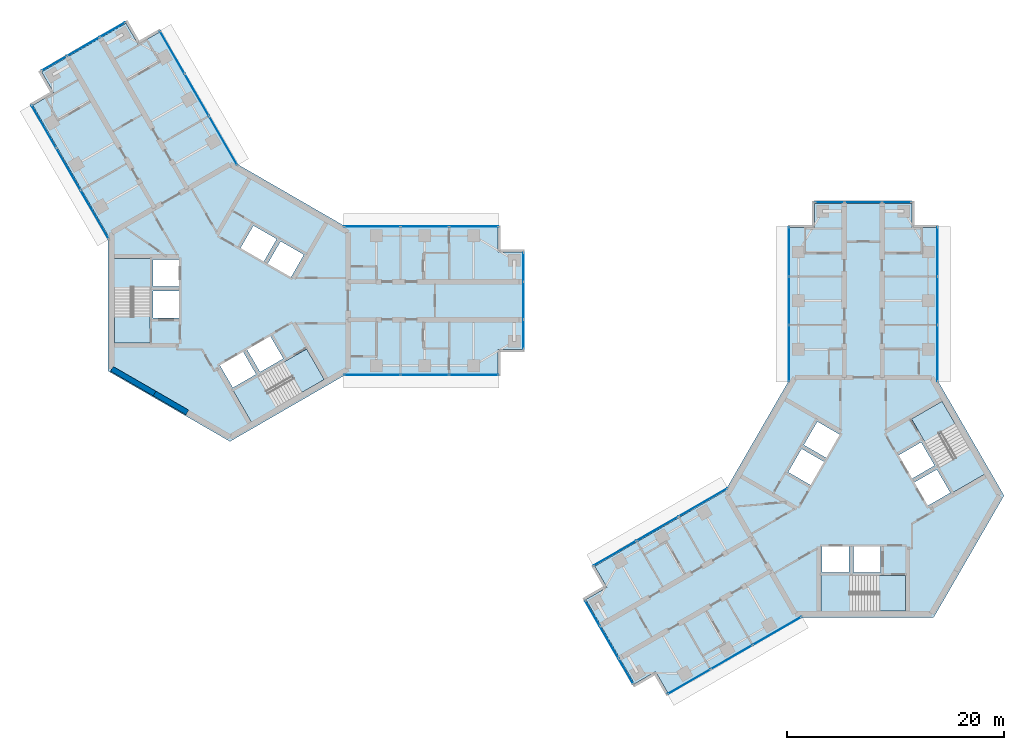
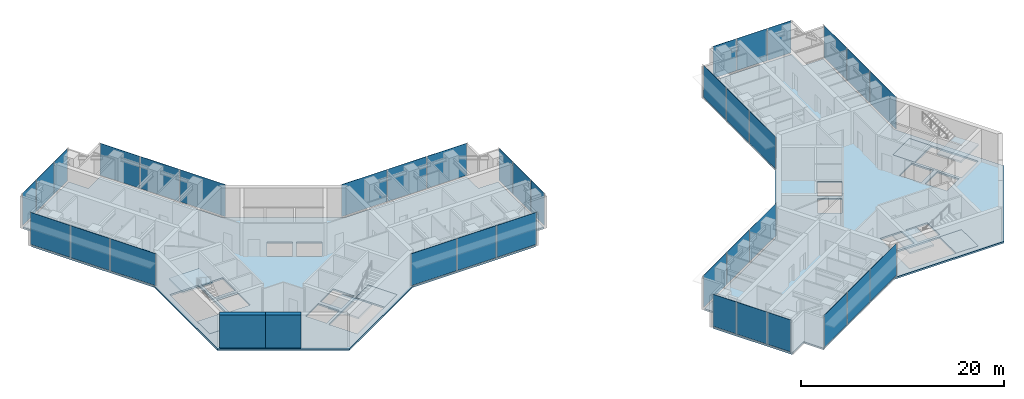
# One storey, part 10 of 17: 36 plates, 10 slabs, 2 walls, 16 elements without a shape of their own.
"""IFC4 building model written with IfcOpenShell, lengths in metres."""

from ifc_helpers import new_model, si_unit, direction, frame, frame_2d, origin, origin_2d, place, context, subcontext, project, spatial, polyline, rectangle, outline, extrude, material, layer, layer_set, type_object, element, aggregate, save


model = new_model("IFC4")

# Units and contexts
model_context = context("Model", 3, precision=1e-05, world=origin(), true_north=direction((0.0, 1.0)))
body_context = subcontext(model_context, "Body", "Model", "MODEL_VIEW")
ifc_project = project(units=[si_unit("LENGTHUNIT", "METRE"), si_unit("AREAUNIT", "SQUARE_METRE"), si_unit("VOLUMEUNIT", "CUBIC_METRE"), si_unit("PLANEANGLEUNIT", "RADIAN"), si_unit("MASSUNIT", "GRAM", prefix="KILO")], contexts=[model_context])

# Site, building, storey
site_placement = place(None, origin())
site = spatial("IfcSite", under=ifc_project, at=site_placement, CompositionType="ELEMENT")
building_placement = place(site_placement, origin())
building = spatial("IfcBuilding", under=site, at=building_placement, Name="Upepo Twin Towers", CompositionType="ELEMENT")
storey_placement = place(building_placement, frame((0.0, 0.0, 206.5)))
storey = spatial("IfcBuildingStorey", under=building, at=storey_placement, Name="L50", CompositionType="ELEMENT", Elevation=206.5)

# Curtain wall, plates
ifc_material_1 = material(Name="Aluminium and fritted glass", Category="aluminium")
curtain_wall_type = type_object("IfcCurtainWallType", Name="Tower curtain wall TW3, fritted glass", PredefinedType="NOTDEFINED", material=ifc_material_1)
curtain_wall_1_placement = place(storey_placement, origin())
curtain_wall_1 = element("IfcCurtainWall", 1, at=curtain_wall_1_placement, inside=storey, type_object=curtain_wall_type, Name="T1 L50 wing A flank L curtain wall", PredefinedType="NOTDEFINED")
ifc_material_2 = material(Name="Ceramic-fritted laminated glass", Category="glass")
ifc_layer_1 = layer(ifc_material_2, 0.031982421875)
ifc_layer_set_1 = layer_set([ifc_layer_1], Name="Fritted glass panel, 55 per cent dot frit, 32 mm double glazed")
plate_type_1 = type_object("IfcPlateType", Name="Fritted glass panel, 55 per cent dot frit, 32 mm double glazed", PredefinedType="CURTAIN_PANEL", material=ifc_layer_set_1)
plate_1_placement = place(storey_placement, frame((13.134765625, 6.85009765625, 0.14990234375), z_axis=(0.0, 0.0, 1.0), x_axis=(1.0, 0.0, 0.0)))
plate_1 = element("IfcPlate", 2, at=plate_1_placement, type_object=plate_type_1, Name="T1 L50 wing A flank L curtain wall panel 1", PredefinedType="CURTAIN_PANEL", context=body_context, shape_type="SweptSolid", body=[
    extrude(rectangle(XDim=5.165283203125, YDim=0.031982421875, at=origin_2d()), origin(), (0.0, 0.0, 1.0), 3.85009765625),
])
plate_2_placement = place(storey_placement, frame((18.0, 6.85009765625, 0.14990234375), z_axis=(0.0, 0.0, 1.0), x_axis=(1.0, 0.0, 0.0)))
plate_2 = element("IfcPlate", 3, at=plate_2_placement, type_object=plate_type_1, Name="T1 L50 wing A flank L curtain wall panel 2", PredefinedType="CURTAIN_PANEL", context=body_context, shape_type="SweptSolid", body=[
    extrude(rectangle(XDim=4.43505859375, YDim=0.031982421875, at=origin_2d()), origin(), (0.0, 0.0, 1.0), 3.85009765625),
])
plate_3_placement = place(storey_placement, frame((22.53369140625, 6.85009765625, 0.14990234375), z_axis=(0.0, 0.0, 1.0), x_axis=(1.0, 0.0, 0.0)))
plate_3 = element("IfcPlate", 4, at=plate_3_placement, type_object=plate_type_1, Name="T1 L50 wing A flank L curtain wall panel 3", PredefinedType="CURTAIN_PANEL", context=body_context, shape_type="SweptSolid", body=[
    extrude(rectangle(XDim=4.50244140625, YDim=0.031982421875, at=origin_2d()), origin(), (0.0, 0.0, 1.0), 3.85009765625),
])
aggregate(curtain_wall_1, [plate_1, plate_2, plate_3])

curtain_wall_2_placement = place(storey_placement, origin())
curtain_wall_2 = element("IfcCurtainWall", 5, at=curtain_wall_2_placement, inside=storey, type_object=curtain_wall_type, Name="T1 L50 wing A flank R curtain wall", PredefinedType="NOTDEFINED")
plate_4_placement = place(storey_placement, frame((22.53369140625, -6.85009765625, 0.14990234375), z_axis=(0.0, 0.0, 1.0), x_axis=(-1.0, 0.0, 0.0)))
plate_4 = element("IfcPlate", 6, at=plate_4_placement, type_object=plate_type_1, Name="T1 L50 wing A flank R curtain wall panel 1", PredefinedType="CURTAIN_PANEL", context=body_context, shape_type="SweptSolid", body=[
    extrude(rectangle(XDim=4.50244140625, YDim=0.031982421875, at=origin_2d()), origin(), (0.0, 0.0, 1.0), 3.85009765625),
])
plate_5_placement = place(storey_placement, frame((18.0, -6.85009765625, 0.14990234375), z_axis=(0.0, 0.0, 1.0), x_axis=(-1.0, 0.0, 0.0)))
plate_5 = element("IfcPlate", 7, at=plate_5_placement, type_object=plate_type_1, Name="T1 L50 wing A flank R curtain wall panel 2", PredefinedType="CURTAIN_PANEL", context=body_context, shape_type="SweptSolid", body=[
    extrude(rectangle(XDim=4.43505859375, YDim=0.031982421875, at=origin_2d()), origin(), (0.0, 0.0, 1.0), 3.85009765625),
])
plate_6_placement = place(storey_placement, frame((13.134765625, -6.85009765625, 0.14990234375), z_axis=(0.0, 0.0, 1.0), x_axis=(-1.0, 0.0, 0.0)))
plate_6 = element("IfcPlate", 8, at=plate_6_placement, type_object=plate_type_1, Name="T1 L50 wing A flank R curtain wall panel 3", PredefinedType="CURTAIN_PANEL", context=body_context, shape_type="SweptSolid", body=[
    extrude(rectangle(XDim=5.165283203125, YDim=0.031982421875, at=origin_2d()), origin(), (0.0, 0.0, 1.0), 3.85009765625),
])
aggregate(curtain_wall_2, [plate_4, plate_5, plate_6])

# Curtain wall, plate
curtain_wall_3_placement = place(storey_placement, origin())
curtain_wall_3 = element("IfcCurtainWall", 9, at=curtain_wall_3_placement, inside=storey, type_object=curtain_wall_type, Name="T1 L50 wing A nose curtain wall", PredefinedType="NOTDEFINED")
plate_7_placement = place(storey_placement, frame((27.10009765625, 0.0, 0.14990234375), z_axis=(0.0, 0.0, 1.0), x_axis=(0.0, 1.0, 0.0)))
plate_7 = element("IfcPlate", 10, at=plate_7_placement, type_object=plate_type_1, Name="T1 L50 wing A nose curtain wall panel 2", PredefinedType="CURTAIN_PANEL", context=body_context, shape_type="SweptSolid", body=[
    extrude(rectangle(XDim=3.43505859375, YDim=0.031982421875, at=origin_2d()), origin(), (0.0, 0.0, 1.0), 3.85009765625),
])

# Curtain wall, plates
curtain_wall_4_placement = place(storey_placement, origin())
curtain_wall_4 = element("IfcCurtainWall", 11, at=curtain_wall_4_placement, inside=storey, type_object=curtain_wall_type, Name="T1 L50 wing B flank L curtain wall", PredefinedType="NOTDEFINED")
plate_8_placement = place(storey_placement, frame((-12.499755859375, 7.9501953125, 0.14990234375), z_axis=(0.0, 0.0, 1.0), x_axis=(-0.500000026527, 0.866025388469, 0.0)))
plate_8 = element("IfcPlate", 12, at=plate_8_placement, type_object=plate_type_1, Name="T1 L50 wing B flank L curtain wall panel 1", PredefinedType="CURTAIN_PANEL", context=body_context, shape_type="SweptSolid", body=[
    extrude(rectangle(XDim=5.165283203125, YDim=0.031982421875, at=origin_2d()), origin(), (0.0, 0.0, 1.0), 3.85009765625),
])
plate_9_placement = place(storey_placement, frame((-14.932373046875, 12.16357421875, 0.14990234375), z_axis=(0.0, 0.0, 1.0), x_axis=(-0.500000026527, 0.866025388469, 0.0)))
plate_9 = element("IfcPlate", 13, at=plate_9_placement, type_object=plate_type_1, Name="T1 L50 wing B flank L curtain wall panel 2", PredefinedType="CURTAIN_PANEL", context=body_context, shape_type="SweptSolid", body=[
    extrude(rectangle(XDim=4.43505859375, YDim=0.031982421875, at=origin_2d()), origin(), (0.0, 0.0, 1.0), 3.85009765625),
])
plate_10_placement = place(storey_placement, frame((-17.19921875, 16.08984375, 0.14990234375), z_axis=(0.0, 0.0, 1.0), x_axis=(-0.500000026527, 0.866025388469, 0.0)))
plate_10 = element("IfcPlate", 14, at=plate_10_placement, type_object=plate_type_1, Name="T1 L50 wing B flank L curtain wall panel 3", PredefinedType="CURTAIN_PANEL", context=body_context, shape_type="SweptSolid", body=[
    extrude(rectangle(XDim=4.50244140625, YDim=0.031982421875, at=origin_2d()), origin(), (0.0, 0.0, 1.0), 3.85009765625),
])
aggregate(curtain_wall_4, [plate_8, plate_9, plate_10])

curtain_wall_5_placement = place(storey_placement, origin())
curtain_wall_5 = element("IfcCurtainWall", 15, at=curtain_wall_5_placement, inside=storey, type_object=curtain_wall_type, Name="T1 L50 wing B flank R curtain wall", PredefinedType="NOTDEFINED")
plate_11_placement = place(storey_placement, frame((-5.334716796875, 22.939697265625, 0.14990234375), z_axis=(0.0, 0.0, 1.0), x_axis=(0.500000026527, -0.866025388469, 0.0)))
plate_11 = element("IfcPlate", 16, at=plate_11_placement, type_object=plate_type_1, Name="T1 L50 wing B flank R curtain wall panel 1", PredefinedType="CURTAIN_PANEL", context=body_context, shape_type="SweptSolid", body=[
    extrude(rectangle(XDim=4.50244140625, YDim=0.031982421875, at=origin_2d()), origin(), (0.0, 0.0, 1.0), 3.85009765625),
])
plate_12_placement = place(storey_placement, frame((-3.067626953125, 19.013427734375, 0.14990234375), z_axis=(0.0, 0.0, 1.0), x_axis=(0.500000026527, -0.866025388469, 0.0)))
plate_12 = element("IfcPlate", 17, at=plate_12_placement, type_object=plate_type_1, Name="T1 L50 wing B flank R curtain wall panel 2", PredefinedType="CURTAIN_PANEL", context=body_context, shape_type="SweptSolid", body=[
    extrude(rectangle(XDim=4.43505859375, YDim=0.031982421875, at=origin_2d()), origin(), (0.0, 0.0, 1.0), 3.85009765625),
])
plate_13_placement = place(storey_placement, frame((-0.635009765625, 14.800048828125, 0.14990234375), z_axis=(0.0, 0.0, 1.0), x_axis=(0.500000026527, -0.866025388469, 0.0)))
plate_13 = element("IfcPlate", 18, at=plate_13_placement, type_object=plate_type_1, Name="T1 L50 wing B flank R curtain wall panel 3", PredefinedType="CURTAIN_PANEL", context=body_context, shape_type="SweptSolid", body=[
    extrude(rectangle(XDim=5.165283203125, YDim=0.031982421875, at=origin_2d()), origin(), (0.0, 0.0, 1.0), 3.85009765625),
])
aggregate(curtain_wall_5, [plate_11, plate_12, plate_13])

# Curtain wall, plate
curtain_wall_6_placement = place(storey_placement, origin())
curtain_wall_6 = element("IfcCurtainWall", 19, at=curtain_wall_6_placement, inside=storey, type_object=curtain_wall_type, Name="T1 L50 wing B nose curtain wall", PredefinedType="NOTDEFINED")
plate_14_placement = place(storey_placement, frame((-13.550048828125, 23.46923828125, 0.14990234375), z_axis=(0.0, 0.0, 1.0), x_axis=(-0.866025386174, -0.500000030502, 0.0)))
plate_14 = element("IfcPlate", 20, at=plate_14_placement, type_object=plate_type_1, Name="T1 L50 wing B nose curtain wall panel 2", PredefinedType="CURTAIN_PANEL", context=body_context, shape_type="SweptSolid", body=[
    extrude(rectangle(XDim=3.43505859375, YDim=0.031982421875, at=origin_2d()), origin(), (0.0, 0.0, 1.0), 3.85009765625),
])

# Curtain wall, plates
curtain_wall_7_placement = place(storey_placement, origin())
curtain_wall_7 = element("IfcCurtainWall", 21, at=curtain_wall_7_placement, inside=storey, type_object=curtain_wall_type, Name="T2 L50 wing A flank L curtain wall", PredefinedType="NOTDEFINED")
plate_15_placement = place(storey_placement, frame((51.64990234375, -4.865234375, 0.14990234375), z_axis=(0.0, 0.0, 1.0), x_axis=(0.0, 1.0, 0.0)))
plate_15 = element("IfcPlate", 22, at=plate_15_placement, type_object=plate_type_1, Name="T2 L50 wing A flank L curtain wall panel 1", PredefinedType="CURTAIN_PANEL", context=body_context, shape_type="SweptSolid", body=[
    extrude(rectangle(XDim=5.165283203125, YDim=0.031982421875, at=origin_2d()), origin(), (0.0, 0.0, 1.0), 3.85009765625),
])
plate_16_placement = place(storey_placement, frame((51.64990234375, 0.0, 0.14990234375), z_axis=(0.0, 0.0, 1.0), x_axis=(0.0, 1.0, 0.0)))
plate_16 = element("IfcPlate", 23, at=plate_16_placement, type_object=plate_type_1, Name="T2 L50 wing A flank L curtain wall panel 2", PredefinedType="CURTAIN_PANEL", context=body_context, shape_type="SweptSolid", body=[
    extrude(rectangle(XDim=4.43505859375, YDim=0.031982421875, at=origin_2d()), origin(), (0.0, 0.0, 1.0), 3.85009765625),
])
plate_17_placement = place(storey_placement, frame((51.64990234375, 4.53369140625, 0.14990234375), z_axis=(0.0, 0.0, 1.0), x_axis=(0.0, 1.0, 0.0)))
plate_17 = element("IfcPlate", 24, at=plate_17_placement, type_object=plate_type_1, Name="T2 L50 wing A flank L curtain wall panel 3", PredefinedType="CURTAIN_PANEL", context=body_context, shape_type="SweptSolid", body=[
    extrude(rectangle(XDim=4.50244140625, YDim=0.031982421875, at=origin_2d()), origin(), (0.0, 0.0, 1.0), 3.85009765625),
])
aggregate(curtain_wall_7, [plate_15, plate_16, plate_17])

curtain_wall_8_placement = place(storey_placement, origin())
curtain_wall_8 = element("IfcCurtainWall", 25, at=curtain_wall_8_placement, inside=storey, type_object=curtain_wall_type, Name="T2 L50 wing A flank R curtain wall", PredefinedType="NOTDEFINED")
plate_18_placement = place(storey_placement, frame((65.35009765625, 4.53369140625, 0.14990234375), z_axis=(0.0, 0.0, 1.0), x_axis=(0.0, -1.0, 0.0)))
plate_18 = element("IfcPlate", 26, at=plate_18_placement, type_object=plate_type_1, Name="T2 L50 wing A flank R curtain wall panel 1", PredefinedType="CURTAIN_PANEL", context=body_context, shape_type="SweptSolid", body=[
    extrude(rectangle(XDim=4.50244140625, YDim=0.031982421875, at=origin_2d()), origin(), (0.0, 0.0, 1.0), 3.85009765625),
])
plate_19_placement = place(storey_placement, frame((65.35009765625, 0.0, 0.14990234375), z_axis=(0.0, 0.0, 1.0), x_axis=(0.0, -1.0, 0.0)))
plate_19 = element("IfcPlate", 27, at=plate_19_placement, type_object=plate_type_1, Name="T2 L50 wing A flank R curtain wall panel 2", PredefinedType="CURTAIN_PANEL", context=body_context, shape_type="SweptSolid", body=[
    extrude(rectangle(XDim=4.43505859375, YDim=0.031982421875, at=origin_2d()), origin(), (0.0, 0.0, 1.0), 3.85009765625),
])
plate_20_placement = place(storey_placement, frame((65.35009765625, -4.865234375, 0.14990234375), z_axis=(0.0, 0.0, 1.0), x_axis=(0.0, -1.0, 0.0)))
plate_20 = element("IfcPlate", 28, at=plate_20_placement, type_object=plate_type_1, Name="T2 L50 wing A flank R curtain wall panel 3", PredefinedType="CURTAIN_PANEL", context=body_context, shape_type="SweptSolid", body=[
    extrude(rectangle(XDim=5.165283203125, YDim=0.031982421875, at=origin_2d()), origin(), (0.0, 0.0, 1.0), 3.85009765625),
])
aggregate(curtain_wall_8, [plate_18, plate_19, plate_20])

# Curtain wall, plate
curtain_wall_9_placement = place(storey_placement, origin())
curtain_wall_9 = element("IfcCurtainWall", 29, at=curtain_wall_9_placement, inside=storey, type_object=curtain_wall_type, Name="T2 L50 wing A nose curtain wall", PredefinedType="NOTDEFINED")
plate_21_placement = place(storey_placement, frame((58.5, 9.10009765625, 0.14990234375), z_axis=(0.0, 0.0, 1.0), x_axis=(-1.0, 0.0, 0.0)))
plate_21 = element("IfcPlate", 30, at=plate_21_placement, type_object=plate_type_1, Name="T2 L50 wing A nose curtain wall panel 2", PredefinedType="CURTAIN_PANEL", context=body_context, shape_type="SweptSolid", body=[
    extrude(rectangle(XDim=3.43505859375, YDim=0.031982421875, at=origin_2d()), origin(), (0.0, 0.0, 1.0), 3.85009765625),
])

# Curtain wall, plates
curtain_wall_10_placement = place(storey_placement, origin())
curtain_wall_10 = element("IfcCurtainWall", 31, at=curtain_wall_10_placement, inside=storey, type_object=curtain_wall_type, Name="T2 L50 wing B flank L curtain wall", PredefinedType="NOTDEFINED")
plate_22_placement = place(storey_placement, frame((50.5498046875, -30.499755859375, 0.14990234375), z_axis=(0.0, 0.0, 1.0), x_axis=(-0.866025388469, -0.500000026527, 0.0)))
plate_22 = element("IfcPlate", 32, at=plate_22_placement, type_object=plate_type_1, Name="T2 L50 wing B flank L curtain wall panel 1", PredefinedType="CURTAIN_PANEL", context=body_context, shape_type="SweptSolid", body=[
    extrude(rectangle(XDim=5.165283203125, YDim=0.031982421875, at=origin_2d()), origin(), (0.0, 0.0, 1.0), 3.85009765625),
])
plate_23_placement = place(storey_placement, frame((46.33642578125, -32.932373046875, 0.14990234375), z_axis=(0.0, 0.0, 1.0), x_axis=(-0.866025388469, -0.500000026527, 0.0)))
plate_23 = element("IfcPlate", 33, at=plate_23_placement, type_object=plate_type_1, Name="T2 L50 wing B flank L curtain wall panel 2", PredefinedType="CURTAIN_PANEL", context=body_context, shape_type="SweptSolid", body=[
    extrude(rectangle(XDim=4.43505859375, YDim=0.031982421875, at=origin_2d()), origin(), (0.0, 0.0, 1.0), 3.85009765625),
])
plate_24_placement = place(storey_placement, frame((42.41015625, -35.19921875, 0.14990234375), z_axis=(0.0, 0.0, 1.0), x_axis=(-0.866025388469, -0.500000026527, 0.0)))
plate_24 = element("IfcPlate", 34, at=plate_24_placement, type_object=plate_type_1, Name="T2 L50 wing B flank L curtain wall panel 3", PredefinedType="CURTAIN_PANEL", context=body_context, shape_type="SweptSolid", body=[
    extrude(rectangle(XDim=4.50244140625, YDim=0.031982421875, at=origin_2d()), origin(), (0.0, 0.0, 1.0), 3.85009765625),
])
aggregate(curtain_wall_10, [plate_22, plate_23, plate_24])

curtain_wall_11_placement = place(storey_placement, origin())
curtain_wall_11 = element("IfcCurtainWall", 35, at=curtain_wall_11_placement, inside=storey, type_object=curtain_wall_type, Name="T2 L50 wing B flank R curtain wall", PredefinedType="NOTDEFINED")
plate_25_placement = place(storey_placement, frame((35.560302734375, -23.334716796875, 0.14990234375), z_axis=(0.0, 0.0, 1.0), x_axis=(0.866025388469, 0.500000026527, 0.0)))
plate_25 = element("IfcPlate", 36, at=plate_25_placement, type_object=plate_type_1, Name="T2 L50 wing B flank R curtain wall panel 1", PredefinedType="CURTAIN_PANEL", context=body_context, shape_type="SweptSolid", body=[
    extrude(rectangle(XDim=4.50244140625, YDim=0.031982421875, at=origin_2d()), origin(), (0.0, 0.0, 1.0), 3.85009765625),
])
plate_26_placement = place(storey_placement, frame((39.486572265625, -21.067626953125, 0.14990234375), z_axis=(0.0, 0.0, 1.0), x_axis=(0.866025388469, 0.500000026527, 0.0)))
plate_26 = element("IfcPlate", 37, at=plate_26_placement, type_object=plate_type_1, Name="T2 L50 wing B flank R curtain wall panel 2", PredefinedType="CURTAIN_PANEL", context=body_context, shape_type="SweptSolid", body=[
    extrude(rectangle(XDim=4.43505859375, YDim=0.031982421875, at=origin_2d()), origin(), (0.0, 0.0, 1.0), 3.85009765625),
])
plate_27_placement = place(storey_placement, frame((43.699951171875, -18.635009765625, 0.14990234375), z_axis=(0.0, 0.0, 1.0), x_axis=(0.866025388469, 0.500000026527, 0.0)))
plate_27 = element("IfcPlate", 38, at=plate_27_placement, type_object=plate_type_1, Name="T2 L50 wing B flank R curtain wall panel 3", PredefinedType="CURTAIN_PANEL", context=body_context, shape_type="SweptSolid", body=[
    extrude(rectangle(XDim=5.165283203125, YDim=0.031982421875, at=origin_2d()), origin(), (0.0, 0.0, 1.0), 3.85009765625),
])
aggregate(curtain_wall_11, [plate_25, plate_26, plate_27])

# Curtain wall, plate
curtain_wall_12_placement = place(storey_placement, origin())
curtain_wall_12 = element("IfcCurtainWall", 39, at=curtain_wall_12_placement, inside=storey, type_object=curtain_wall_type, Name="T2 L50 wing B nose curtain wall", PredefinedType="NOTDEFINED")
plate_28_placement = place(storey_placement, frame((35.03076171875, -31.550048828125, 0.14990234375), z_axis=(0.0, 0.0, 1.0), x_axis=(0.500000030502, -0.866025386174, 0.0)))
plate_28 = element("IfcPlate", 40, at=plate_28_placement, type_object=plate_type_1, Name="T2 L50 wing B nose curtain wall panel 2", PredefinedType="CURTAIN_PANEL", context=body_context, shape_type="SweptSolid", body=[
    extrude(rectangle(XDim=3.43505859375, YDim=0.031982421875, at=origin_2d()), origin(), (0.0, 0.0, 1.0), 3.85009765625),
])

# Plate
ifc_material_3 = material(Name="Clear laminated glass in opening sash", Category="glass")
ifc_layer_2 = layer(ifc_material_3, 0.031982421875)
ifc_layer_set_2 = layer_set([ifc_layer_2], Name="Operable glass panel, 32 mm double glazed")
plate_type_2 = type_object("IfcPlateType", Name="Operable glass panel, 32 mm double glazed", PredefinedType="CURTAIN_PANEL", material=ifc_layer_set_2)
plate_29_placement = place(storey_placement, frame((27.10009765625, -3.108642578125, 0.14990234375), z_axis=(0.0, 0.0, 1.0), x_axis=(0.0, 1.0, 0.0)))
plate_29 = element("IfcPlate", 41, at=plate_29_placement, type_object=plate_type_2, Name="T1 L50 wing A nose curtain wall panel 1", PredefinedType="CURTAIN_PANEL", context=body_context, shape_type="SweptSolid", body=[
    extrude(rectangle(XDim=2.652587890625, YDim=0.031982421875, at=origin_2d()), origin(), (0.0, 0.0, 1.0), 3.85009765625),
])

plate_30_placement = place(storey_placement, frame((27.10009765625, 3.108642578125, 0.14990234375), z_axis=(0.0, 0.0, 1.0), x_axis=(0.0, 1.0, 0.0)))
plate_30 = element("IfcPlate", 42, at=plate_30_placement, type_object=plate_type_2, Name="T1 L50 wing A nose curtain wall panel 3", PredefinedType="CURTAIN_PANEL", context=body_context, shape_type="SweptSolid", body=[
    extrude(rectangle(XDim=2.652587890625, YDim=0.031982421875, at=origin_2d()), origin(), (0.0, 0.0, 1.0), 3.85009765625),
])

aggregate(curtain_wall_3, [plate_29, plate_7, plate_30])

plate_31_placement = place(storey_placement, frame((-10.857666015625, 25.023681640625, 0.14990234375), z_axis=(0.0, 0.0, 1.0), x_axis=(-0.866025386174, -0.500000030502, 0.0)))
plate_31 = element("IfcPlate", 43, at=plate_31_placement, type_object=plate_type_2, Name="T1 L50 wing B nose curtain wall panel 1", PredefinedType="CURTAIN_PANEL", context=body_context, shape_type="SweptSolid", body=[
    extrude(rectangle(XDim=2.652587890625, YDim=0.031982421875, at=origin_2d()), origin(), (0.0, 0.0, 1.0), 3.85009765625),
])

plate_32_placement = place(storey_placement, frame((-16.2421875, 21.914794921875, 0.14990234375), z_axis=(0.0, 0.0, 1.0), x_axis=(-0.866025386174, -0.500000030502, 0.0)))
plate_32 = element("IfcPlate", 44, at=plate_32_placement, type_object=plate_type_2, Name="T1 L50 wing B nose curtain wall panel 3", PredefinedType="CURTAIN_PANEL", context=body_context, shape_type="SweptSolid", body=[
    extrude(rectangle(XDim=2.652587890625, YDim=0.031982421875, at=origin_2d()), origin(), (0.0, 0.0, 1.0), 3.85009765625),
])

aggregate(curtain_wall_6, [plate_31, plate_14, plate_32])

plate_33_placement = place(storey_placement, frame((61.608642578125, 9.10009765625, 0.14990234375), z_axis=(0.0, 0.0, 1.0), x_axis=(-1.0, 0.0, 0.0)))
plate_33 = element("IfcPlate", 45, at=plate_33_placement, type_object=plate_type_2, Name="T2 L50 wing A nose curtain wall panel 1", PredefinedType="CURTAIN_PANEL", context=body_context, shape_type="SweptSolid", body=[
    extrude(rectangle(XDim=2.652587890625, YDim=0.031982421875, at=origin_2d()), origin(), (0.0, 0.0, 1.0), 3.85009765625),
])

plate_34_placement = place(storey_placement, frame((55.391357421875, 9.10009765625, 0.14990234375), z_axis=(0.0, 0.0, 1.0), x_axis=(-1.0, 0.0, 0.0)))
plate_34 = element("IfcPlate", 46, at=plate_34_placement, type_object=plate_type_2, Name="T2 L50 wing A nose curtain wall panel 3", PredefinedType="CURTAIN_PANEL", context=body_context, shape_type="SweptSolid", body=[
    extrude(rectangle(XDim=2.652587890625, YDim=0.031982421875, at=origin_2d()), origin(), (0.0, 0.0, 1.0), 3.85009765625),
])

aggregate(curtain_wall_9, [plate_33, plate_21, plate_34])

plate_35_placement = place(storey_placement, frame((33.476318359375, -28.857666015625, 0.14990234375), z_axis=(0.0, 0.0, 1.0), x_axis=(0.500000030502, -0.866025386174, 0.0)))
plate_35 = element("IfcPlate", 47, at=plate_35_placement, type_object=plate_type_2, Name="T2 L50 wing B nose curtain wall panel 1", PredefinedType="CURTAIN_PANEL", context=body_context, shape_type="SweptSolid", body=[
    extrude(rectangle(XDim=2.652587890625, YDim=0.031982421875, at=origin_2d()), origin(), (0.0, 0.0, 1.0), 3.85009765625),
])

plate_36_placement = place(storey_placement, frame((36.585205078125, -34.2421875, 0.14990234375), z_axis=(0.0, 0.0, 1.0), x_axis=(0.500000030502, -0.866025386174, 0.0)))
plate_36 = element("IfcPlate", 48, at=plate_36_placement, type_object=plate_type_2, Name="T2 L50 wing B nose curtain wall panel 3", PredefinedType="CURTAIN_PANEL", context=body_context, shape_type="SweptSolid", body=[
    extrude(rectangle(XDim=2.652587890625, YDim=0.031982421875, at=origin_2d()), origin(), (0.0, 0.0, 1.0), 3.85009765625),
])

aggregate(curtain_wall_12, [plate_35, plate_28, plate_36])

# Stair, slabs
ifc_material_4 = material(Name="Concrete C40/50", Category="concrete")
stair_type = type_object("IfcStairType", Name="Core stair, two flights", PredefinedType="HALF_TURN_STAIR", material=ifc_material_4)
stair_1_placement = place(storey_placement, origin())
stair_1 = element("IfcStair", 49, at=stair_1_placement, inside=storey, type_object=stair_type, Name="T1 stair S1 L50", PredefinedType="HALF_TURN_STAIR")
ifc_material_5 = material(Name="Concrete C40/50", Category="concrete")
ifc_layer_3 = layer(ifc_material_5, 0.199951171875)
ifc_layer_set_3 = layer_set([ifc_layer_3], Name="Concrete C40/50")
slab_type_1 = type_object("IfcSlabType", Name="Stair landing 200 RC", PredefinedType="LANDING", material=ifc_layer_set_3)
slab_1_placement = place(storey_placement, frame((0.0, 0.0, -0.199951171875)))
slab_1 = element("IfcSlab", 50, at=slab_1_placement, type_object=slab_type_1, Name="Stair S1 landing 1", PredefinedType="LANDING", context=body_context, shape_type="SweptSolid", body=[
    extrude(outline(polyline([(-7.39990234375, -1.419921875), (-10.658447265625, -1.419921875), (-10.658447265625, -3.89990234375), (-7.39990234375, -3.89990234375), (-7.39990234375, -1.419921875)])), origin(), (0.0, 0.0, 1.0), 0.199951171875),
])
slab_2_placement = place(storey_placement, frame((0.0, 0.0, 1.800048828125)))
slab_2 = element("IfcSlab", 51, at=slab_2_placement, type_object=slab_type_1, Name="Stair S1 landing 2", PredefinedType="LANDING", context=body_context, shape_type="SweptSolid", body=[
    extrude(outline(polyline([(-7.300048828125, 3.89990234375), (-10.75830078125, 3.89990234375), (-10.75830078125, 1.179931640625), (-7.300048828125, 1.179931640625), (-7.300048828125, 3.89990234375)])), origin(), (0.0, 0.0, 1.0), 0.199951171875),
])
aggregate(stair_1, [slab_1, slab_2])

stair_2_placement = place(storey_placement, origin())
stair_2 = element("IfcStair", 52, at=stair_2_placement, inside=storey, type_object=stair_type, Name="T1 stair S2 L50", PredefinedType="HALF_TURN_STAIR")
slab_3_placement = place(storey_placement, frame((0.0, 0.0, -0.199951171875)))
slab_3 = element("IfcSlab", 53, at=slab_3_placement, type_object=slab_type_1, Name="Stair S2 landing 1", PredefinedType="LANDING", context=body_context, shape_type="SweptSolid", body=[
    extrude(outline(polyline([(4.9296875, -5.698486328125), (6.558837890625, -8.520263671875), (8.70654296875, -7.2802734375), (7.077392578125, -4.45849609375), (4.9296875, -5.698486328125)])), origin(), (0.0, 0.0, 1.0), 0.199951171875),
])
slab_4_placement = place(storey_placement, frame((0.0, 0.0, 1.800048828125)))
slab_4 = element("IfcSlab", 54, at=slab_4_placement, type_object=slab_type_1, Name="Stair S2 landing 2", PredefinedType="LANDING", context=body_context, shape_type="SweptSolid", body=[
    extrude(outline(polyline([(0.2724609375, -8.27197265625), (2.001708984375, -11.26708984375), (4.357177734375, -9.906982421875), (2.628173828125, -6.911865234375), (0.2724609375, -8.27197265625)])), origin(), (0.0, 0.0, 1.0), 0.199951171875),
])
aggregate(stair_2, [slab_3, slab_4])

stair_3_placement = place(storey_placement, origin())
stair_3 = element("IfcStair", 55, at=stair_3_placement, inside=storey, type_object=stair_type, Name="T2 stair S1 L50", PredefinedType="HALF_TURN_STAIR")
slab_5_placement = place(storey_placement, frame((0.0, 0.0, -0.199951171875)))
slab_5 = element("IfcSlab", 56, at=slab_5_placement, type_object=slab_type_1, Name="Stair S1 landing 1", PredefinedType="LANDING", context=body_context, shape_type="SweptSolid", body=[
    extrude(outline(polyline([(59.919921875, -25.39990234375), (59.919921875, -28.658447265625), (62.39990234375, -28.658447265625), (62.39990234375, -25.39990234375), (59.919921875, -25.39990234375)])), origin(), (0.0, 0.0, 1.0), 0.199951171875),
])
slab_6_placement = place(storey_placement, frame((0.0, 0.0, 1.800048828125)))
slab_6 = element("IfcSlab", 57, at=slab_6_placement, type_object=slab_type_1, Name="Stair S1 landing 2", PredefinedType="LANDING", context=body_context, shape_type="SweptSolid", body=[
    extrude(outline(polyline([(54.60009765625, -25.300048828125), (54.60009765625, -28.75830078125), (57.320068359375, -28.75830078125), (57.320068359375, -25.300048828125), (54.60009765625, -25.300048828125)])), origin(), (0.0, 0.0, 1.0), 0.199951171875),
])
aggregate(stair_3, [slab_5, slab_6])

stair_4_placement = place(storey_placement, origin())
stair_4 = element("IfcStair", 58, at=stair_4_placement, inside=storey, type_object=stair_type, Name="T2 stair S2 L50", PredefinedType="HALF_TURN_STAIR")
slab_7_placement = place(storey_placement, frame((0.0, 0.0, -0.199951171875)))
slab_7 = element("IfcSlab", 59, at=slab_7_placement, type_object=slab_type_1, Name="Stair S2 landing 1", PredefinedType="LANDING", context=body_context, shape_type="SweptSolid", body=[
    extrude(outline(polyline([(64.198486328125, -13.0703125), (67.020263671875, -11.441162109375), (65.7802734375, -9.29345703125), (62.95849609375, -10.922607421875), (64.198486328125, -13.0703125)])), origin(), (0.0, 0.0, 1.0), 0.199951171875),
])
slab_8_placement = place(storey_placement, frame((0.0, 0.0, 1.800048828125)))
slab_8 = element("IfcSlab", 60, at=slab_8_placement, type_object=slab_type_1, Name="Stair S2 landing 2", PredefinedType="LANDING", context=body_context, shape_type="SweptSolid", body=[
    extrude(outline(polyline([(66.77197265625, -17.7275390625), (69.76708984375, -15.998291015625), (68.406982421875, -13.642822265625), (65.411865234375, -15.371826171875), (66.77197265625, -17.7275390625)])), origin(), (0.0, 0.0, 1.0), 0.199951171875),
])
aggregate(stair_4, [slab_7, slab_8])

# Slabs
ifc_material_6 = material(Name="Concrete C40/50", Category="concrete")
ifc_layer_4 = layer(ifc_material_6, 0.199951171875)
ifc_layer_set_4 = layer_set([ifc_layer_4], Name="Concrete C40/50")
slab_type_2 = type_object("IfcSlabType", Name="Tower floor slab 200 RC", PredefinedType="FLOOR", material=ifc_layer_set_4)
slab_9_placement = place(storey_placement, frame((0.0, 0.0, -0.199951171875)))
element("IfcSlab", 61, at=slab_9_placement, inside=storey, type_object=slab_type_2, Name="T1 L50 floor slab", PredefinedType="FLOOR", context=body_context, shape_type="SweptSolid", body=[
    extrude(outline(polyline([(10.825439453125, 6.75), (24.75, 6.75), (24.75, 4.5), (27.0, 4.5), (27.0, -4.5), (24.75, -4.5), (24.75, -6.75), (10.825439453125, -6.75), (0.0, -13.0), (-11.25830078125, -6.5), (-11.25830078125, 6.0), (-18.220703125, 18.05908203125), (-16.272216796875, 19.18408203125), (-17.397216796875, 21.132568359375), (-9.602783203125, 25.632568359375), (-8.477783203125, 23.68408203125), (-6.529296875, 24.80908203125), (0.43310546875, 12.75), (10.825439453125, 6.75)]), holes=[polyline([(5.640869140625, 2.17041015625), (6.8408203125, 4.248779296875), (4.67578125, 5.498779296875), (3.475830078125, 3.42041015625), (5.640869140625, 2.17041015625)]), polyline([(3.12939453125, 3.620361328125), (4.329345703125, 5.69873046875), (2.164306640625, 6.94873046875), (0.96435546875, 4.870361328125), (3.12939453125, 3.620361328125)]), polyline([(-4.699951171875, 3.800048828125), (-7.10009765625, 3.800048828125), (-7.10009765625, 1.300048828125), (-4.699951171875, 1.300048828125), (-4.699951171875, 3.800048828125)]), polyline([(-4.699951171875, 0.89990234375), (-7.10009765625, 0.89990234375), (-7.10009765625, -1.60009765625), (-4.699951171875, -1.60009765625), (-4.699951171875, 0.89990234375)]), polyline([(-7.39990234375, 3.89990234375), (-10.658447265625, 3.89990234375), (-10.658447265625, -3.89990234375), (-7.39990234375, -3.89990234375), (-7.39990234375, 3.89990234375)]), polyline([(-0.94091796875, -5.97021484375), (0.259033203125, -8.048828125), (2.424072265625, -6.798828125), (1.22412109375, -4.72021484375), (-0.94091796875, -5.97021484375)]), polyline([(1.570556640625, -4.520263671875), (2.7705078125, -6.598876953125), (4.935546875, -5.348876953125), (3.735595703125, -3.270263671875), (1.570556640625, -4.520263671875)]), polyline([(0.322509765625, -8.358642578125), (1.95166015625, -11.180419921875), (8.70654296875, -7.2802734375), (7.077392578125, -4.45849609375), (0.322509765625, -8.358642578125)])]), origin(), (0.0, 0.0, 1.0), 0.199951171875),
])
slab_10_placement = place(storey_placement, frame((0.0, 0.0, -0.199951171875)))
element("IfcSlab", 62, at=slab_10_placement, inside=storey, type_object=slab_type_2, Name="T2 L50 floor slab", PredefinedType="FLOOR", context=body_context, shape_type="SweptSolid", body=[
    extrude(outline(polyline([(51.75, -7.174560546875), (51.75, 6.75), (54.0, 6.75), (54.0, 9.0), (63.0, 9.0), (63.0, 6.75), (65.25, 6.75), (65.25, -7.174560546875), (71.5, -18.0), (65.0, -29.25830078125), (52.5, -29.25830078125), (40.44091796875, -36.220703125), (39.31591796875, -34.272216796875), (37.367431640625, -35.397216796875), (32.867431640625, -27.602783203125), (34.81591796875, -26.477783203125), (33.69091796875, -24.529296875), (45.75, -17.56689453125), (51.75, -7.174560546875)]), holes=[polyline([(56.32958984375, -12.359130859375), (54.251220703125, -11.1591796875), (53.001220703125, -13.32421875), (55.07958984375, -14.524169921875), (56.32958984375, -12.359130859375)]), polyline([(54.879638671875, -14.87060546875), (52.80126953125, -13.670654296875), (51.55126953125, -15.835693359375), (53.629638671875, -17.03564453125), (54.879638671875, -14.87060546875)]), polyline([(54.699951171875, -22.699951171875), (54.699951171875, -25.10009765625), (57.199951171875, -25.10009765625), (57.199951171875, -22.699951171875), (54.699951171875, -22.699951171875)]), polyline([(57.60009765625, -22.699951171875), (57.60009765625, -25.10009765625), (60.10009765625, -25.10009765625), (60.10009765625, -22.699951171875), (57.60009765625, -22.699951171875)]), polyline([(54.60009765625, -25.39990234375), (54.60009765625, -28.658447265625), (62.39990234375, -28.658447265625), (62.39990234375, -25.39990234375), (54.60009765625, -25.39990234375)]), polyline([(64.47021484375, -18.94091796875), (66.548828125, -17.740966796875), (65.298828125, -15.575927734375), (63.22021484375, -16.77587890625), (64.47021484375, -18.94091796875)]), polyline([(63.020263671875, -16.429443359375), (65.098876953125, -15.2294921875), (63.848876953125, -13.064453125), (61.770263671875, -14.264404296875), (63.020263671875, -16.429443359375)]), polyline([(66.858642578125, -17.677490234375), (69.680419921875, -16.04833984375), (65.7802734375, -9.29345703125), (62.95849609375, -10.922607421875), (66.858642578125, -17.677490234375)])]), origin(), (0.0, 0.0, 1.0), 0.199951171875),
])

# Walls
ifc_material_7 = material(Name="Concrete C60/75", Category="concrete")
ifc_layer_5 = layer(ifc_material_7, 0.5)
ifc_layer_set_5 = layer_set([ifc_layer_5], Name="Concrete C60/75")
wall_type = type_object("IfcWallType", Name="Core wall 500 RC", PredefinedType="SHEAR", material=ifc_layer_set_5)
wall_1_placement = place(storey_placement, frame((-10.908447265625, -6.2978515625, 0.0), z_axis=(0.0, 0.0, 1.0), x_axis=(0.866034513004, -0.499984222037, 0.0)))
element("IfcWall", 63, at=wall_1_placement, inside=storey, type_object=wall_type, Name="T1 core wall 240 R", PredefinedType="SHEAR", context=body_context, shape_type="SweptSolid", body=[
    extrude(rectangle(XDim=4.548095703125, YDim=0.5, at=frame_2d((2.27392578125, 0.0))), origin(), (0.0, 0.0, 1.0), 4.0),
])
wall_2_placement = place(storey_placement, frame((-6.9697265625, -8.57177734375, 0.0), z_axis=(0.0, 0.0, 1.0), x_axis=(0.866019471182, -0.500010275428, 0.0)))
element("IfcWall", 64, at=wall_2_placement, inside=storey, type_object=wall_type, Name="T1 core wall 240", PredefinedType="SHEAR", context=body_context, shape_type="SweptSolid", body=[
    extrude(rectangle(XDim=3.5, YDim=0.5, at=frame_2d((1.75, 0.0))), origin(), (0.0, 0.0, 1.0), 4.0),
])

save(model, "model.ifc")
